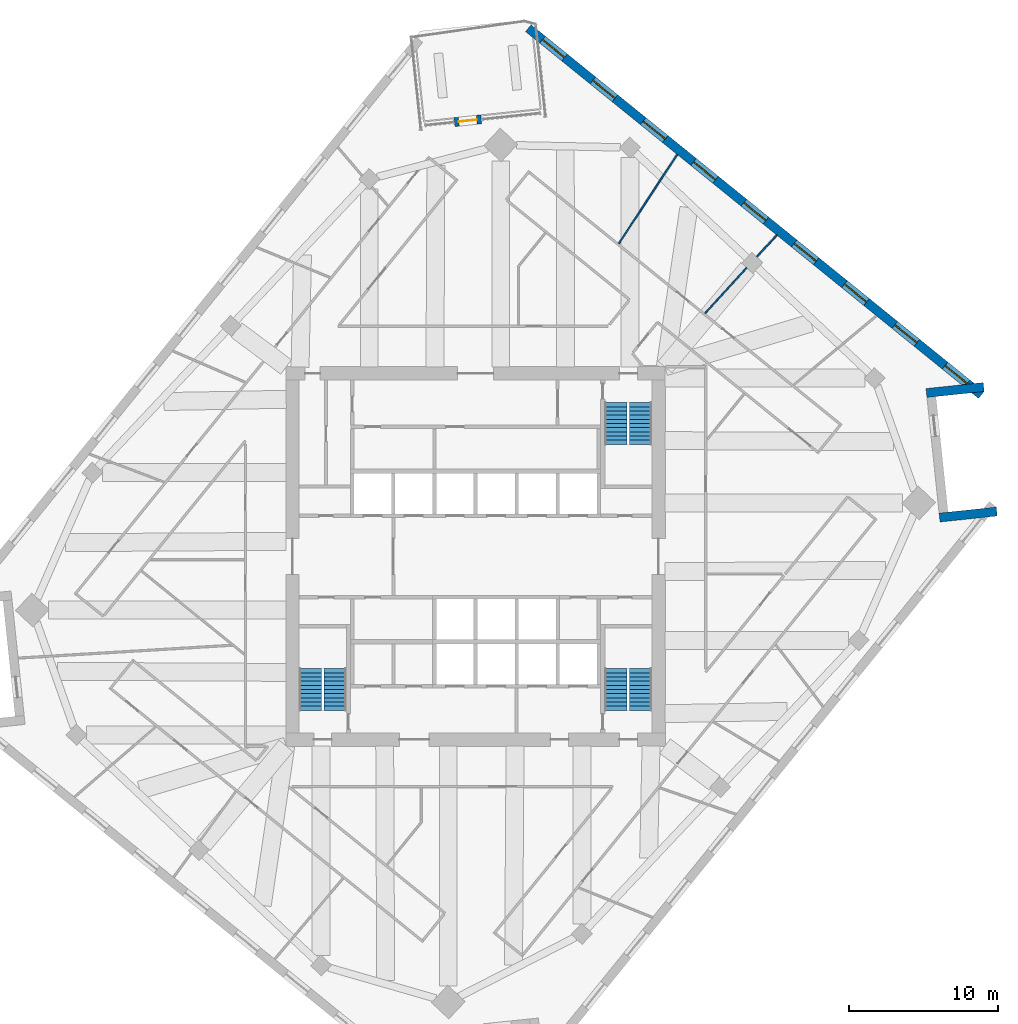
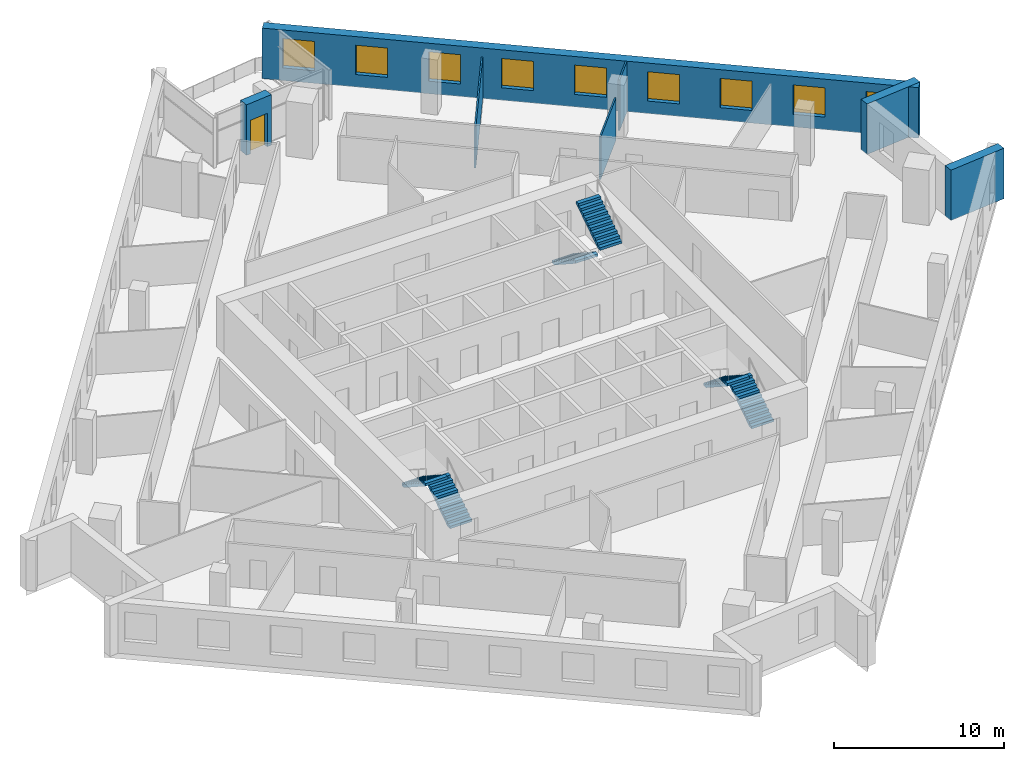
# One storey, part 12 of 14: 9 windows, 7 walls, 6 stair flights, 1 door, 10 openings, 3 elements without a shape of their own.
"""IFC4 building model written with IfcOpenShell, lengths in metres."""

import ifcopenshell
import ifcopenshell.guid

model = None  # the IFC model being written
_history = None  # IfcOwnerHistory: only IFC2X3 demands one
_inside = {}  # id of a spatial element -> (the spatial element, [elements in it])
_under = {}  # id of a project, library or spatial element -> (it, [spatial elements below it])
_declared = {}  # id of a project -> (the project, [libraries it declares])
_typed = {}  # id of a type object -> (the type object, [elements of that type])
_made_of = {}  # id of a material, layer set ... -> (it, [elements and type objects made of it])


def new_model(schema):
    """Start an empty IFC model of exactly this schema.

    Asked for "IFC4X3", IfcOpenShell would pick the latest addendum, in which some entities
    have other attributes; the version numbers below select the first issue.
    IFC2X3 requires an IfcOwnerHistory on every rooted entity: one is made here for all.
    """
    global model, _history
    if schema == "IFC4X3":
        model = ifcopenshell.file(schema_version=(4, 3, 0, 0))
    else:
        model = ifcopenshell.file(schema=schema)
    _inside.clear()
    _under.clear()
    _declared.clear()
    _typed.clear()
    _made_of.clear()
    _history = None
    if model.schema == "IFC2X3":
        org = make("IfcOrganization", Name="unknown")
        user = make(
            "IfcPersonAndOrganization",
            ThePerson=make("IfcPerson", FamilyName="unknown"),
            TheOrganization=org,
        )
        app = make(
            "IfcApplication",
            ApplicationDeveloper=org,
            Version="unknown",
            ApplicationFullName="unknown",
            ApplicationIdentifier="unknown",
        )
        _history = make(
            "IfcOwnerHistory",
            OwningUser=user,
            OwningApplication=app,
            ChangeAction="ADDED",
            CreationDate=0,
        )
    return model


def make(cls, **values):
    """One entity of the class cls with the attributes given. An attribute that is None is left unset."""
    return model.create_entity(
        cls, **{name: value for name, value in values.items() if value is not None}
    )


def rooted(cls, **values):
    """An entity with a GlobalId (a new one), such as an element, a storey or a relation."""
    return make(cls, GlobalId=ifcopenshell.guid.new(), OwnerHistory=_history, **values)


def si_unit(unit_type, name, prefix=None):
    """IfcSIUnit, for example si_unit("LENGTHUNIT", "METRE", prefix="MILLI")."""
    return make("IfcSIUnit", UnitType=unit_type, Prefix=prefix, Name=name)


def assignment(units):
    """IfcUnitAssignment: the units of a project."""
    return None if units is None else make("IfcUnitAssignment", Units=units)


def point(xyz):
    """IfcCartesianPoint."""
    return None if xyz is None else make("IfcCartesianPoint", Coordinates=xyz)


def direction(xyz):
    """IfcDirection."""
    return None if xyz is None else make("IfcDirection", DirectionRatios=xyz)


def frame(location, z_axis=None, x_axis=None):
    """IfcAxis2Placement3D, a coordinate frame: its origin and axes. An axis left out is left unset."""
    return make(
        "IfcAxis2Placement3D",
        Location=point(location),
        Axis=direction(z_axis),
        RefDirection=direction(x_axis),
    )


def frame_2d(location, x_axis=None):
    """IfcAxis2Placement2D, a coordinate frame in the plane: its origin and x axis."""
    return make(
        "IfcAxis2Placement2D", Location=point(location), RefDirection=direction(x_axis)
    )


def origin():
    """The frame at (0, 0, 0) with its axes left unset."""
    return frame((0.0, 0.0, 0.0))


def place(relative_to, where):
    """IfcLocalPlacement: puts the frame where relative to a parent placement (None: the world)."""
    return make(
        "IfcLocalPlacement", PlacementRelTo=relative_to, RelativePlacement=where
    )


def context(
    kind, dimensions, precision=None, world=None, true_north=None, identifier=None
):
    """IfcGeometricRepresentationContext, for example the 3D "Model" context."""
    return make(
        "IfcGeometricRepresentationContext",
        ContextIdentifier=identifier,
        ContextType=kind,
        CoordinateSpaceDimension=dimensions,
        Precision=precision,
        WorldCoordinateSystem=world,
        TrueNorth=true_north,
    )


def subcontext(parent, identifier, kind, view, scale=None):
    """IfcGeometricRepresentationSubContext, for example "Body" below "Model"."""
    return make(
        "IfcGeometricRepresentationSubContext",
        ContextIdentifier=identifier,
        ContextType=kind,
        ParentContext=parent,
        TargetScale=scale,
        TargetView=view,
    )


def project(units=None, contexts=None):
    """IfcProject with its units and contexts."""
    return rooted(
        "IfcProject",
        Name="project",
        RepresentationContexts=contexts,
        UnitsInContext=assignment(units),
    )


def spatial(cls, under=None, at=None, **own):
    """A site, building, storey or space (cls), placed at a placement, below another one or the project."""
    s = rooted(cls, ObjectPlacement=at, **own)
    if under is not None:
        _under.setdefault(under.id(), (under, []))[1].append(s)
    return s


def polyline(points):
    """IfcPolyline through the points."""
    return make("IfcPolyline", Points=[point(p) for p in points])


def profile(cls, at=None, kind="AREA", **sizes):
    """A parametric profile (cls). Its sizes go by their IFC names, for example OverallWidth=200.0."""
    return make(cls, ProfileType=kind, Position=at, **sizes)


def rectangle(**sizes):
    """IfcRectangleProfileDef."""
    return profile("IfcRectangleProfileDef", **sizes)


def outline(outer, holes=None, kind="AREA"):
    """IfcArbitraryClosedProfileDef: a profile drawn as a closed curve; with holes, ...WithVoids."""
    if holes is None:
        return make("IfcArbitraryClosedProfileDef", ProfileType=kind, OuterCurve=outer)
    return make(
        "IfcArbitraryProfileDefWithVoids",
        ProfileType=kind,
        OuterCurve=outer,
        InnerCurves=holes,
    )


def extrude(swept, where, along, depth):
    """IfcExtrudedAreaSolid: the profile swept, set in the frame where, extruded along a direction by depth."""
    return make(
        "IfcExtrudedAreaSolid",
        SweptArea=swept,
        Position=where,
        ExtrudedDirection=direction(along),
        Depth=depth,
    )


def shape(context_of_items, identifier, shape_type, items):
    """IfcShapeRepresentation: the items that make up one representation, for example the "Body"."""
    return make(
        "IfcShapeRepresentation",
        ContextOfItems=context_of_items,
        RepresentationIdentifier=identifier,
        RepresentationType=shape_type,
        Items=items,
    )


def material(Name=None, Category=None):
    """IfcMaterial."""
    return make("IfcMaterial", Name=Name, Category=Category)


def layer(
    of_material, thickness, ventilated=None, Name=None, Category=None, Priority=None
):
    """IfcMaterialLayer: one layer of a wall or slab, of a material (None: an air gap)."""
    return make(
        "IfcMaterialLayer",
        Material=of_material,
        LayerThickness=thickness,
        IsVentilated=ventilated,
        Name=Name,
        Category=Category,
        Priority=Priority,
    )


def layer_set(layers, Name=None):
    """IfcMaterialLayerSet."""
    return make("IfcMaterialLayerSet", MaterialLayers=layers, LayerSetName=Name)


def made_of(thing, what):
    """Note that an element or type object is made of a material, layer set ...; save() writes the relation."""
    if what is not None:
        _made_of.setdefault(what.id(), (what, []))[1].append(thing)
    return thing


def type_object(cls, material=None, **own):
    """A type object (cls), such as IfcWallType, which elements share."""
    return made_of(rooted(cls, **own), material)


def element(
    cls,
    number,
    at=None,
    inside=None,
    cuts=None,
    type_object=None,
    material=None,
    context=None,
    identifier="Body",
    shape_type=None,
    held_by="IfcProductDefinitionShape",
    body=None,
    shapes=None,
    **own,
):
    """One element of the class cls, such as IfcWall. Its Tag is "e" and its number.

    at: its placement. inside: the storey or other place that contains it. cuts: it is an
    opening in that element (IfcRelVoidsElement). A single representation is given by context,
    identifier, shape_type and body (its items); several are given by shapes. held_by: the class
    of the entity that holds the representations. save() writes the other relations.
    """
    e = rooted(cls, Tag="e%d" % number, ObjectPlacement=at, **own)
    if body is not None:
        shapes = [shape(context, identifier, shape_type, body)]
    if shapes is not None:
        e.Representation = make(held_by, Representations=shapes)
    if inside is not None:
        _inside.setdefault(inside.id(), (inside, []))[1].append(e)
    if cuts is not None:
        rooted(
            "IfcRelVoidsElement", RelatingBuildingElement=cuts, RelatedOpeningElement=e
        )
    if type_object is not None:
        _typed.setdefault(type_object.id(), (type_object, []))[1].append(e)
    return made_of(e, material)


def fill(opening, filler):
    """IfcRelFillsElement: the door or window that sits in an opening."""
    return rooted(
        "IfcRelFillsElement",
        RelatingOpeningElement=opening,
        RelatedBuildingElement=filler,
    )


def aggregate(whole, parts):
    """IfcRelAggregates: a whole, such as a stair, and the parts it consists of."""
    return rooted("IfcRelAggregates", RelatingObject=whole, RelatedObjects=parts)


def save(model, path):
    """Write the relations noted so far, then the file.

    IfcRelAggregates (storeys below a building ...), IfcRelContainedInSpatialStructure (elements
    in a storey), IfcRelDefinesByType, IfcRelAssociatesMaterial and IfcRelDeclares: one each for
    every whole, place, type object, material and project.
    """
    for whole, parts in _under.values():
        aggregate(whole, parts)
    for where, things in _inside.values():
        rooted(
            "IfcRelContainedInSpatialStructure",
            RelatedElements=things,
            RelatingStructure=where,
        )
    for kind, things in _typed.values():
        rooted("IfcRelDefinesByType", RelatedObjects=things, RelatingType=kind)
    for what, things in _made_of.values():
        rooted("IfcRelAssociatesMaterial", RelatedObjects=things, RelatingMaterial=what)
    for by, libraries in _declared.values():
        rooted("IfcRelDeclares", RelatingContext=by, RelatedDefinitions=libraries)
    model.write(path)


model = new_model("IFC4")

# Units and contexts
model_context = context("Model", 3, precision=1e-05, world=origin(), true_north=direction((0.0, 1.0)))
body_context = subcontext(model_context, "Body", "Model", "MODEL_VIEW")
ifc_project = project(units=[si_unit("LENGTHUNIT", "METRE"), si_unit("AREAUNIT", "SQUARE_METRE"), si_unit("VOLUMEUNIT", "CUBIC_METRE"), si_unit("PLANEANGLEUNIT", "RADIAN"), si_unit("MASSUNIT", "GRAM", prefix="KILO")], contexts=[model_context])

# Site, building, storey
site_placement = place(None, origin())
site = spatial("IfcSite", under=ifc_project, at=site_placement, CompositionType="ELEMENT")
building_placement = place(site_placement, origin())
building = spatial("IfcBuilding", under=site, at=building_placement, Name="Dilmun Exchange Tower", CompositionType="ELEMENT")
storey_placement = place(building_placement, frame((0.0, 0.0, 229.300048828125)))
storey = spatial("IfcBuildingStorey", under=building, at=storey_placement, Name="L54", CompositionType="ELEMENT", Elevation=229.300048828125)

# Walls
ifc_material_1 = material(Name="Partition 100")
ifc_layer_1 = layer(ifc_material_1, 0.10009765625)
ifc_layer_set_1 = layer_set([ifc_layer_1], Name="Partition 100")
wall_type_1 = type_object("IfcWallType", Name="Partition 100", PredefinedType="PARTITIONING", material=ifc_layer_set_1)
wall_1_placement = place(storey_placement, frame((9.593994140625, 20.94921875, 0.0), z_axis=(0.0, 0.0, 1.0), x_axis=(0.548286159223, 0.836290791295, 0.0)))
element("IfcWall", 1, at=wall_1_placement, inside=storey, type_object=wall_type_1, Name="Partition", PredefinedType="PARTITIONING", context=body_context, shape_type="SweptSolid", body=[
    extrude(rectangle(XDim=7.115478515625, YDim=0.10009765625, at=frame_2d((3.5576171875, 0.0))), origin(), (0.0, 0.0, 1.0), 2.969970703125),
])
wall_2_placement = place(storey_placement, frame((15.36279296875, 16.275634765625, 0.0), z_axis=(0.0, 0.0, 1.0), x_axis=(0.675708525494, 0.737168900982, 0.0)))
element("IfcWall", 2, at=wall_2_placement, inside=storey, type_object=wall_type_1, Name="Partition", PredefinedType="PARTITIONING", context=body_context, shape_type="SweptSolid", body=[
    extrude(rectangle(XDim=4.119384765625, YDim=0.10009765625, at=frame_2d((2.0595703125, 0.0))), origin(), (0.0, 0.0, 1.0), 3.050048828125),
])
wall_3_placement = place(storey_placement, frame((18.822021484375, 20.049560546875, 0.0), z_axis=(0.0, 0.0, 1.0), x_axis=(0.675724628517, 0.737154140201, 0.0)))
element("IfcWall", 3, at=wall_3_placement, inside=storey, type_object=wall_type_1, Name="Partition", PredefinedType="PARTITIONING", context=body_context, shape_type="SweptSolid", body=[
    extrude(rectangle(XDim=1.975341796875, YDim=0.10009765625, at=frame_2d((0.98779296875, 0.0))), origin(), (0.0, 0.0, 1.0), 3.619873046875),
])
ifc_material_2 = material(Name="Precast concrete C50/60", Category="concrete")
ifc_layer_2 = layer(ifc_material_2, 0.60009765625)
ifc_layer_set_2 = layer_set([ifc_layer_2], Name="Precast concrete C50/60")
wall_type_2 = type_object("IfcWallType", Name="Precast stone-clad wall 600", PredefinedType="STANDARD", material=ifc_layer_set_2)
for number, where, z_axis, x_axis, name in (
    (4, (34.87841796875, 3.0087890625, 0.0), (0.0, 0.0, 1.0), (-0.994521092097, -0.104536105602, 0.0), "Facade wall L54-12"),
    (5, (30.17724609375, 10.93896484375, 0.0), (0.0, 0.0, 1.0), (0.994521092097, 0.104536105602, 0.0), "Facade wall L54-14"),
):
    element("IfcWall", number, at=place(storey_placement, frame(where, z_axis=z_axis, x_axis=x_axis)), inside=storey, type_object=wall_type_2, Name=name, PredefinedType="STANDARD", context=body_context, shape_type="SweptSolid", body=[
        extrude(rectangle(XDim=3.846435546875, YDim=0.60009765625, at=frame_2d((1.92333984375, 0.0))), origin(), (0.0, 0.0, 1.0), 3.619873046875),
    ])

# Wall, openings, windows
wall_4_placement = place(storey_placement, frame((33.84521484375, 10.8095703125, 0.0), z_axis=(0.0, 0.0, 1.0), x_axis=(-0.777145437972, 0.629321037499, 0.0)))
wall_4 = element("IfcWall", 6, at=wall_4_placement, inside=storey, type_object=wall_type_2, Name="Facade wall L54-15", PredefinedType="STANDARD", context=body_context, shape_type="SweptSolid", body=[
    extrude(rectangle(XDim=39.0, YDim=0.60009765625, at=frame_2d((19.5, 0.0))), origin(), (0.0, 0.0, 1.0), 3.619873046875),
])
opening_1_placement = place(wall_4_placement, frame((1.216796875, 0.0, 0.89990234375)))
opening_1 = element("IfcOpeningElement", 7, at=opening_1_placement, cuts=wall_4, Name="Opening W190-210", PredefinedType="OPENING", context=body_context, shape_type="SweptSolid", body=[
    extrude(rectangle(XDim=1.89990234375, YDim=2.10009765625, at=frame_2d((0.949951171875, 1.050048828125))), frame((0.0, 0.31005859375, 0.0), z_axis=(0.0, -1.0, 0.0), x_axis=(1.0, 0.0, 0.0)), (0.0, 0.0, 1.0), 0.6201171875),
])
opening_2_placement = place(wall_4_placement, frame((5.550048828125, 0.0, 0.89990234375)))
opening_2 = element("IfcOpeningElement", 8, at=opening_2_placement, cuts=wall_4, Name="Opening W190-210", PredefinedType="OPENING", context=body_context, shape_type="SweptSolid", body=[
    extrude(rectangle(XDim=1.89990234375, YDim=2.10009765625, at=frame_2d((0.949951171875, 1.050048828125))), frame((0.0, 0.31005859375, 0.0), z_axis=(0.0, -1.0, 0.0), x_axis=(1.0, 0.0, 0.0)), (0.0, 0.0, 1.0), 0.6201171875),
])
opening_3_placement = place(wall_4_placement, frame((9.88330078125, 0.0, 0.89990234375)))
opening_3 = element("IfcOpeningElement", 9, at=opening_3_placement, cuts=wall_4, Name="Opening W190-210", PredefinedType="OPENING", context=body_context, shape_type="SweptSolid", body=[
    extrude(rectangle(XDim=1.89990234375, YDim=2.10009765625, at=frame_2d((0.949951171875, 1.050048828125))), frame((0.0, 0.31005859375, 0.0), z_axis=(0.0, -1.0, 0.0), x_axis=(1.0, 0.0, 0.0)), (0.0, 0.0, 1.0), 0.6201171875),
])
opening_4_placement = place(wall_4_placement, frame((14.216796875, 0.0, 0.89990234375)))
opening_4 = element("IfcOpeningElement", 10, at=opening_4_placement, cuts=wall_4, Name="Opening W190-210", PredefinedType="OPENING", context=body_context, shape_type="SweptSolid", body=[
    extrude(rectangle(XDim=1.89990234375, YDim=2.10009765625, at=frame_2d((0.949951171875, 1.050048828125))), frame((0.0, 0.31005859375, 0.0), z_axis=(0.0, -1.0, 0.0), x_axis=(1.0, 0.0, 0.0)), (0.0, 0.0, 1.0), 0.6201171875),
])
opening_5_placement = place(wall_4_placement, frame((18.550048828125, 0.0, 0.89990234375)))
opening_5 = element("IfcOpeningElement", 11, at=opening_5_placement, cuts=wall_4, Name="Opening W190-210", PredefinedType="OPENING", context=body_context, shape_type="SweptSolid", body=[
    extrude(rectangle(XDim=1.89990234375, YDim=2.10009765625, at=frame_2d((0.949951171875, 1.050048828125))), frame((0.0, 0.31005859375, 0.0), z_axis=(0.0, -1.0, 0.0), x_axis=(1.0, 0.0, 0.0)), (0.0, 0.0, 1.0), 0.6201171875),
])
opening_6_placement = place(wall_4_placement, frame((22.88330078125, 0.0, 0.89990234375)))
opening_6 = element("IfcOpeningElement", 12, at=opening_6_placement, cuts=wall_4, Name="Opening W190-210", PredefinedType="OPENING", context=body_context, shape_type="SweptSolid", body=[
    extrude(rectangle(XDim=1.89990234375, YDim=2.10009765625, at=frame_2d((0.949951171875, 1.050048828125))), frame((0.0, 0.31005859375, 0.0), z_axis=(0.0, -1.0, 0.0), x_axis=(1.0, 0.0, 0.0)), (0.0, 0.0, 1.0), 0.6201171875),
])
opening_7_placement = place(wall_4_placement, frame((27.216796875, 0.0, 0.89990234375)))
opening_7 = element("IfcOpeningElement", 13, at=opening_7_placement, cuts=wall_4, Name="Opening W190-210", PredefinedType="OPENING", context=body_context, shape_type="SweptSolid", body=[
    extrude(rectangle(XDim=1.89990234375, YDim=2.10009765625, at=frame_2d((0.949951171875, 1.050048828125))), frame((0.0, 0.31005859375, 0.0), z_axis=(0.0, -1.0, 0.0), x_axis=(1.0, 0.0, 0.0)), (0.0, 0.0, 1.0), 0.6201171875),
])
opening_8_placement = place(wall_4_placement, frame((31.550048828125, 0.0, 0.89990234375)))
opening_8 = element("IfcOpeningElement", 14, at=opening_8_placement, cuts=wall_4, Name="Opening W190-210", PredefinedType="OPENING", context=body_context, shape_type="SweptSolid", body=[
    extrude(rectangle(XDim=1.89990234375, YDim=2.10009765625, at=frame_2d((0.949951171875, 1.050048828125))), frame((0.0, 0.31005859375, 0.0), z_axis=(0.0, -1.0, 0.0), x_axis=(1.0, 0.0, 0.0)), (0.0, 0.0, 1.0), 0.6201171875),
])
opening_9_placement = place(wall_4_placement, frame((35.88330078125, 0.0, 0.89990234375)))
opening_9 = element("IfcOpeningElement", 15, at=opening_9_placement, cuts=wall_4, Name="Opening W190-210", PredefinedType="OPENING", context=body_context, shape_type="SweptSolid", body=[
    extrude(rectangle(XDim=1.89990234375, YDim=2.10009765625, at=frame_2d((0.949951171875, 1.050048828125))), frame((0.0, 0.31005859375, 0.0), z_axis=(0.0, -1.0, 0.0), x_axis=(1.0, 0.0, 0.0)), (0.0, 0.0, 1.0), 0.6201171875),
])
ifc_material_3 = material(Name="Clear low-emissivity glass in aluminium frame", Category="aluminium")
window_type = type_object("IfcWindowType", Name="Punched window 1900 x 2100", PartitioningType="DOUBLE_PANEL_VERTICAL", PredefinedType="WINDOW", material=ifc_material_3)
window_1_placement = place(opening_1_placement, origin())
window_1 = element("IfcWindow", 16, at=window_1_placement, inside=storey, type_object=window_type, Name="Window 16.1", OverallHeight=2.10009765625, OverallWidth=1.89990234375, PartitioningType="SINGLE_PANEL", PredefinedType="WINDOW", context=body_context, shape_type="SweptSolid", body=[
    extrude(rectangle(XDim=1.89990234375, YDim=2.10009765625, at=frame_2d((0.949951171875, 1.050048828125))), frame((0.0, 0.030029296875, 0.0), z_axis=(0.0, -1.0, 0.0), x_axis=(1.0, 0.0, 0.0)), (0.0, 0.0, 1.0), 0.06005859375),
])
fill(opening_1, window_1)
window_2_placement = place(opening_2_placement, origin())
window_2 = element("IfcWindow", 17, at=window_2_placement, inside=storey, type_object=window_type, Name="Window 16.2", OverallHeight=2.10009765625, OverallWidth=1.89990234375, PartitioningType="SINGLE_PANEL", PredefinedType="WINDOW", context=body_context, shape_type="SweptSolid", body=[
    extrude(rectangle(XDim=1.89990234375, YDim=2.10009765625, at=frame_2d((0.949951171875, 1.050048828125))), frame((0.0, 0.030029296875, 0.0), z_axis=(0.0, -1.0, 0.0), x_axis=(1.0, 0.0, 0.0)), (0.0, 0.0, 1.0), 0.06005859375),
])
fill(opening_2, window_2)
window_3_placement = place(opening_3_placement, origin())
window_3 = element("IfcWindow", 18, at=window_3_placement, inside=storey, type_object=window_type, Name="Window 16.3", OverallHeight=2.10009765625, OverallWidth=1.89990234375, PartitioningType="SINGLE_PANEL", PredefinedType="WINDOW", context=body_context, shape_type="SweptSolid", body=[
    extrude(rectangle(XDim=1.89990234375, YDim=2.10009765625, at=frame_2d((0.949951171875, 1.050048828125))), frame((0.0, 0.030029296875, 0.0), z_axis=(0.0, -1.0, 0.0), x_axis=(1.0, 0.0, 0.0)), (0.0, 0.0, 1.0), 0.06005859375),
])
fill(opening_3, window_3)
window_4_placement = place(opening_4_placement, origin())
window_4 = element("IfcWindow", 19, at=window_4_placement, inside=storey, type_object=window_type, Name="Window 16.4", OverallHeight=2.10009765625, OverallWidth=1.89990234375, PartitioningType="SINGLE_PANEL", PredefinedType="WINDOW", context=body_context, shape_type="SweptSolid", body=[
    extrude(rectangle(XDim=1.89990234375, YDim=2.10009765625, at=frame_2d((0.949951171875, 1.050048828125))), frame((0.0, 0.030029296875, 0.0), z_axis=(0.0, -1.0, 0.0), x_axis=(1.0, 0.0, 0.0)), (0.0, 0.0, 1.0), 0.06005859375),
])
fill(opening_4, window_4)
window_5_placement = place(opening_5_placement, origin())
window_5 = element("IfcWindow", 20, at=window_5_placement, inside=storey, type_object=window_type, Name="Window 16.5", OverallHeight=2.10009765625, OverallWidth=1.89990234375, PartitioningType="SINGLE_PANEL", PredefinedType="WINDOW", context=body_context, shape_type="SweptSolid", body=[
    extrude(rectangle(XDim=1.89990234375, YDim=2.10009765625, at=frame_2d((0.949951171875, 1.050048828125))), frame((0.0, 0.030029296875, 0.0), z_axis=(0.0, -1.0, 0.0), x_axis=(1.0, 0.0, 0.0)), (0.0, 0.0, 1.0), 0.06005859375),
])
fill(opening_5, window_5)
window_6_placement = place(opening_6_placement, origin())
window_6 = element("IfcWindow", 21, at=window_6_placement, inside=storey, type_object=window_type, Name="Window 16.6", OverallHeight=2.10009765625, OverallWidth=1.89990234375, PartitioningType="SINGLE_PANEL", PredefinedType="WINDOW", context=body_context, shape_type="SweptSolid", body=[
    extrude(rectangle(XDim=1.89990234375, YDim=2.10009765625, at=frame_2d((0.949951171875, 1.050048828125))), frame((0.0, 0.030029296875, 0.0), z_axis=(0.0, -1.0, 0.0), x_axis=(1.0, 0.0, 0.0)), (0.0, 0.0, 1.0), 0.06005859375),
])
fill(opening_6, window_6)
window_7_placement = place(opening_7_placement, origin())
window_7 = element("IfcWindow", 22, at=window_7_placement, inside=storey, type_object=window_type, Name="Window 16.7", OverallHeight=2.10009765625, OverallWidth=1.89990234375, PartitioningType="SINGLE_PANEL", PredefinedType="WINDOW", context=body_context, shape_type="SweptSolid", body=[
    extrude(rectangle(XDim=1.89990234375, YDim=2.10009765625, at=frame_2d((0.949951171875, 1.050048828125))), frame((0.0, 0.030029296875, 0.0), z_axis=(0.0, -1.0, 0.0), x_axis=(1.0, 0.0, 0.0)), (0.0, 0.0, 1.0), 0.06005859375),
])
fill(opening_7, window_7)
window_8_placement = place(opening_8_placement, origin())
window_8 = element("IfcWindow", 23, at=window_8_placement, inside=storey, type_object=window_type, Name="Window 16.8", OverallHeight=2.10009765625, OverallWidth=1.89990234375, PartitioningType="SINGLE_PANEL", PredefinedType="WINDOW", context=body_context, shape_type="SweptSolid", body=[
    extrude(rectangle(XDim=1.89990234375, YDim=2.10009765625, at=frame_2d((0.949951171875, 1.050048828125))), frame((0.0, 0.030029296875, 0.0), z_axis=(0.0, -1.0, 0.0), x_axis=(1.0, 0.0, 0.0)), (0.0, 0.0, 1.0), 0.06005859375),
])
fill(opening_8, window_8)
window_9_placement = place(opening_9_placement, origin())
window_9 = element("IfcWindow", 24, at=window_9_placement, inside=storey, type_object=window_type, Name="Window 16.9", OverallHeight=2.10009765625, OverallWidth=1.89990234375, PartitioningType="SINGLE_PANEL", PredefinedType="WINDOW", context=body_context, shape_type="SweptSolid", body=[
    extrude(rectangle(XDim=1.89990234375, YDim=2.10009765625, at=frame_2d((0.949951171875, 1.050048828125))), frame((0.0, 0.030029296875, 0.0), z_axis=(0.0, -1.0, 0.0), x_axis=(1.0, 0.0, 0.0)), (0.0, 0.0, 1.0), 0.06005859375),
])
fill(opening_9, window_9)

# Wall, opening, door
wall_5_placement = place(storey_placement, frame((0.379638671875, 29.25537109375, 0.0), z_axis=(0.0, 0.0, 1.0), x_axis=(-0.994516595821, -0.104578872801, 0.0)))
wall_5 = element("IfcWall", 25, at=wall_5_placement, inside=storey, type_object=wall_type_2, Name="Facade wall L54-01-D", PredefinedType="STANDARD", context=body_context, shape_type="SweptSolid", body=[
    extrude(rectangle(XDim=1.7998046875, YDim=0.60009765625, at=frame_2d((0.89990234375, 0.0))), origin(), (0.0, 0.0, 1.0), 3.619873046875),
])
opening_10_placement = place(wall_5_placement, frame((0.300048828125, 0.0, 0.0)))
opening_10 = element("IfcOpeningElement", 26, at=opening_10_placement, cuts=wall_5, Name="Opening GD-1", PredefinedType="OPENING", context=body_context, shape_type="SweptSolid", body=[
    extrude(rectangle(XDim=1.199951171875, YDim=2.39990234375, at=frame_2d((0.60009765625, 1.199951171875))), frame((0.0, 0.31005859375, 0.0), z_axis=(0.0, -1.0, 0.0), x_axis=(1.0, 0.0, 0.0)), (0.0, 0.0, 1.0), 0.6201171875),
])
door_type = type_object("IfcDoorType", Name="Glazed garden door 1200 x 2400", OperationType="SINGLE_SWING_LEFT", PredefinedType="DOOR", material=ifc_material_3)
door_placement = place(opening_10_placement, origin())
door = element("IfcDoor", 27, at=door_placement, inside=storey, type_object=door_type, Name="Garden terrace door", OperationType="SINGLE_SWING_LEFT", OverallHeight=2.39990234375, OverallWidth=1.199951171875, PredefinedType="DOOR", context=body_context, shape_type="SweptSolid", body=[
    extrude(rectangle(XDim=1.199951171875, YDim=2.39990234375, at=frame_2d((0.60009765625, 1.199951171875))), frame((0.0, 0.02490234375, 0.0), z_axis=(0.0, -1.0, 0.0), x_axis=(1.0, 0.0, 0.0)), (0.0, 0.0, 1.0), 0.050048828125),
])
fill(opening_10, door)

# Stair, stair flights
ifc_material_4 = material(Name="Concrete C40/50", Category="concrete")
stair_type = type_object("IfcStairType", Name="Exit stair 1500 half-turn", PredefinedType="HALF_TURN_STAIR", material=ifc_material_4)
stair_1_placement = place(storey_placement, origin())
stair_1 = element("IfcStair", 28, at=stair_1_placement, inside=storey, type_object=stair_type, Name="L54 Protected exit stair ST1", PredefinedType="HALF_TURN_STAIR")
stair_flight_type = type_object("IfcStairFlightType", Name="Exit stair flight 1500", PredefinedType="STRAIGHT", material=ifc_material_4)
stair_flight_1_placement = place(storey_placement, frame((9.39990234375, 10.300048828125, 0.0), z_axis=(0.0, 0.0, 1.0), x_axis=(0.0, -1.0, 0.0)))
stair_flight_1 = element("IfcStairFlight", 29, at=stair_flight_1_placement, type_object=stair_flight_type, Name="ST1 flight 1", NumberOfRisers=11, NumberOfTreads=10, PredefinedType="STRAIGHT", RiserHeight=0.181818182, TreadLength=0.28, context=body_context, shape_type="SweptSolid", body=[
    extrude(outline(polyline([(0.0, 0.0), (0.0, 0.181884765625), (0.280029296875, 0.181884765625), (0.280029296875, 0.363525390625), (0.56005859375, 0.363525390625), (0.56005859375, 0.54541015625), (0.840087890625, 0.54541015625), (0.840087890625, 0.727294921875), (1.1201171875, 0.727294921875), (1.1201171875, 0.9091796875), (1.39990234375, 0.9091796875), (1.39990234375, 1.0908203125), (1.679931640625, 1.0908203125), (1.679931640625, 1.272705078125), (1.9599609375, 1.272705078125), (1.9599609375, 1.45458984375), (2.239990234375, 1.45458984375), (2.239990234375, 1.636474609375), (2.52001953125, 1.636474609375), (2.52001953125, 1.818115234375), (2.800048828125, 1.818115234375), (2.800048828125, 2.0), (2.800048828125, 1.639404296875), (0.275146484375, 0.0), (0.0, 0.0)])), frame((0.0, 0.75, 0.0), z_axis=(0.0, -1.0, 0.0), x_axis=(1.0, 0.0, 0.0)), (0.0, 0.0, 1.0), 1.5),
])
stair_flight_2_placement = place(storey_placement, frame((11.050048828125, 7.5, 2.0), z_axis=(0.0, 0.0, 1.0), x_axis=(0.0, 1.0, 0.0)))
stair_flight_2 = element("IfcStairFlight", 30, at=stair_flight_2_placement, type_object=stair_flight_type, Name="ST1 flight 2", NumberOfRisers=11, NumberOfTreads=10, PredefinedType="STRAIGHT", RiserHeight=0.181818182, TreadLength=0.28, context=body_context, shape_type="SweptSolid", body=[
    extrude(outline(polyline([(0.0, 0.0), (0.0, 0.181884765625), (0.280029296875, 0.181884765625), (0.280029296875, 0.363525390625), (0.56005859375, 0.363525390625), (0.56005859375, 0.54541015625), (0.840087890625, 0.54541015625), (0.840087890625, 0.727294921875), (1.1201171875, 0.727294921875), (1.1201171875, 0.9091796875), (1.39990234375, 0.9091796875), (1.39990234375, 1.0908203125), (1.679931640625, 1.0908203125), (1.679931640625, 1.272705078125), (1.9599609375, 1.272705078125), (1.9599609375, 1.45458984375), (2.239990234375, 1.45458984375), (2.239990234375, 1.636474609375), (2.52001953125, 1.636474609375), (2.52001953125, 1.818115234375), (2.800048828125, 1.818115234375), (2.800048828125, 2.0), (2.800048828125, 1.639404296875), (0.275146484375, 0.0), (0.0, 0.0)])), frame((0.0, 0.75, 0.0), z_axis=(0.0, -1.0, 0.0), x_axis=(1.0, 0.0, 0.0)), (0.0, 0.0, 1.0), 1.5),
])
aggregate(stair_1, [stair_flight_1, stair_flight_2])

stair_2_placement = place(storey_placement, origin())
stair_2 = element("IfcStair", 31, at=stair_2_placement, inside=storey, type_object=stair_type, Name="L54 Protected exit stair ST2", PredefinedType="HALF_TURN_STAIR")
stair_flight_3_placement = place(storey_placement, frame((-9.39990234375, -10.300048828125, 0.0), z_axis=(0.0, 0.0, 1.0), x_axis=(0.0, 1.0, 0.0)))
stair_flight_3 = element("IfcStairFlight", 32, at=stair_flight_3_placement, type_object=stair_flight_type, Name="ST2 flight 1", NumberOfRisers=11, NumberOfTreads=10, PredefinedType="STRAIGHT", RiserHeight=0.181818182, TreadLength=0.28, context=body_context, shape_type="SweptSolid", body=[
    extrude(outline(polyline([(0.0, 0.0), (0.0, 0.181884765625), (0.280029296875, 0.181884765625), (0.280029296875, 0.363525390625), (0.56005859375, 0.363525390625), (0.56005859375, 0.54541015625), (0.840087890625, 0.54541015625), (0.840087890625, 0.727294921875), (1.1201171875, 0.727294921875), (1.1201171875, 0.9091796875), (1.39990234375, 0.9091796875), (1.39990234375, 1.0908203125), (1.679931640625, 1.0908203125), (1.679931640625, 1.272705078125), (1.9599609375, 1.272705078125), (1.9599609375, 1.45458984375), (2.239990234375, 1.45458984375), (2.239990234375, 1.636474609375), (2.52001953125, 1.636474609375), (2.52001953125, 1.818115234375), (2.800048828125, 1.818115234375), (2.800048828125, 2.0), (2.800048828125, 1.639404296875), (0.275146484375, 0.0), (0.0, 0.0)])), frame((0.0, 0.75, 0.0), z_axis=(0.0, -1.0, 0.0), x_axis=(1.0, 0.0, 0.0)), (0.0, 0.0, 1.0), 1.5),
])
stair_flight_4_placement = place(storey_placement, frame((-11.050048828125, -7.5, 2.0), z_axis=(0.0, 0.0, 1.0), x_axis=(0.0, -1.0, 0.0)))
stair_flight_4 = element("IfcStairFlight", 33, at=stair_flight_4_placement, type_object=stair_flight_type, Name="ST2 flight 2", NumberOfRisers=11, NumberOfTreads=10, PredefinedType="STRAIGHT", RiserHeight=0.181818182, TreadLength=0.28, context=body_context, shape_type="SweptSolid", body=[
    extrude(outline(polyline([(0.0, 0.0), (0.0, 0.181884765625), (0.280029296875, 0.181884765625), (0.280029296875, 0.363525390625), (0.56005859375, 0.363525390625), (0.56005859375, 0.54541015625), (0.840087890625, 0.54541015625), (0.840087890625, 0.727294921875), (1.1201171875, 0.727294921875), (1.1201171875, 0.9091796875), (1.39990234375, 0.9091796875), (1.39990234375, 1.0908203125), (1.679931640625, 1.0908203125), (1.679931640625, 1.272705078125), (1.9599609375, 1.272705078125), (1.9599609375, 1.45458984375), (2.239990234375, 1.45458984375), (2.239990234375, 1.636474609375), (2.52001953125, 1.636474609375), (2.52001953125, 1.818115234375), (2.800048828125, 1.818115234375), (2.800048828125, 2.0), (2.800048828125, 1.639404296875), (0.275146484375, 0.0), (0.0, 0.0)])), frame((0.0, 0.75, 0.0), z_axis=(0.0, -1.0, 0.0), x_axis=(1.0, 0.0, 0.0)), (0.0, 0.0, 1.0), 1.5),
])
aggregate(stair_2, [stair_flight_3, stair_flight_4])

stair_3_placement = place(storey_placement, origin())
stair_3 = element("IfcStair", 34, at=stair_3_placement, inside=storey, type_object=stair_type, Name="L54 Protected exit stair ST3", PredefinedType="HALF_TURN_STAIR")
stair_flight_5_placement = place(storey_placement, frame((11.050048828125, -10.300048828125, 0.0), z_axis=(0.0, 0.0, 1.0), x_axis=(0.0, 1.0, 0.0)))
stair_flight_5 = element("IfcStairFlight", 35, at=stair_flight_5_placement, type_object=stair_flight_type, Name="ST3 flight 1", NumberOfRisers=11, NumberOfTreads=10, PredefinedType="STRAIGHT", RiserHeight=0.181818182, TreadLength=0.28, context=body_context, shape_type="SweptSolid", body=[
    extrude(outline(polyline([(0.0, 0.0), (0.0, 0.181884765625), (0.280029296875, 0.181884765625), (0.280029296875, 0.363525390625), (0.56005859375, 0.363525390625), (0.56005859375, 0.54541015625), (0.840087890625, 0.54541015625), (0.840087890625, 0.727294921875), (1.1201171875, 0.727294921875), (1.1201171875, 0.9091796875), (1.39990234375, 0.9091796875), (1.39990234375, 1.0908203125), (1.679931640625, 1.0908203125), (1.679931640625, 1.272705078125), (1.9599609375, 1.272705078125), (1.9599609375, 1.45458984375), (2.239990234375, 1.45458984375), (2.239990234375, 1.636474609375), (2.52001953125, 1.636474609375), (2.52001953125, 1.818115234375), (2.800048828125, 1.818115234375), (2.800048828125, 2.0), (2.800048828125, 1.639404296875), (0.275146484375, 0.0), (0.0, 0.0)])), frame((0.0, 0.75, 0.0), z_axis=(0.0, -1.0, 0.0), x_axis=(1.0, 0.0, 0.0)), (0.0, 0.0, 1.0), 1.5),
])
stair_flight_6_placement = place(storey_placement, frame((9.39990234375, -7.5, 2.0), z_axis=(0.0, 0.0, 1.0), x_axis=(0.0, -1.0, 0.0)))
stair_flight_6 = element("IfcStairFlight", 36, at=stair_flight_6_placement, type_object=stair_flight_type, Name="ST3 flight 2", NumberOfRisers=11, NumberOfTreads=10, PredefinedType="STRAIGHT", RiserHeight=0.181818182, TreadLength=0.28, context=body_context, shape_type="SweptSolid", body=[
    extrude(outline(polyline([(0.0, 0.0), (0.0, 0.181884765625), (0.280029296875, 0.181884765625), (0.280029296875, 0.363525390625), (0.56005859375, 0.363525390625), (0.56005859375, 0.54541015625), (0.840087890625, 0.54541015625), (0.840087890625, 0.727294921875), (1.1201171875, 0.727294921875), (1.1201171875, 0.9091796875), (1.39990234375, 0.9091796875), (1.39990234375, 1.0908203125), (1.679931640625, 1.0908203125), (1.679931640625, 1.272705078125), (1.9599609375, 1.272705078125), (1.9599609375, 1.45458984375), (2.239990234375, 1.45458984375), (2.239990234375, 1.636474609375), (2.52001953125, 1.636474609375), (2.52001953125, 1.818115234375), (2.800048828125, 1.818115234375), (2.800048828125, 2.0), (2.800048828125, 1.639404296875), (0.275146484375, 0.0), (0.0, 0.0)])), frame((0.0, 0.75, 0.0), z_axis=(0.0, -1.0, 0.0), x_axis=(1.0, 0.0, 0.0)), (0.0, 0.0, 1.0), 1.5),
])
aggregate(stair_3, [stair_flight_5, stair_flight_6])

save(model, "model.ifc")
